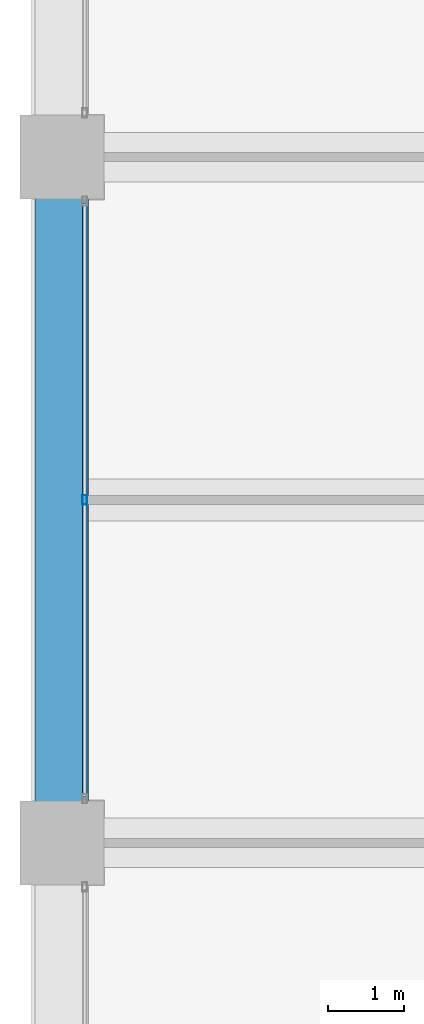
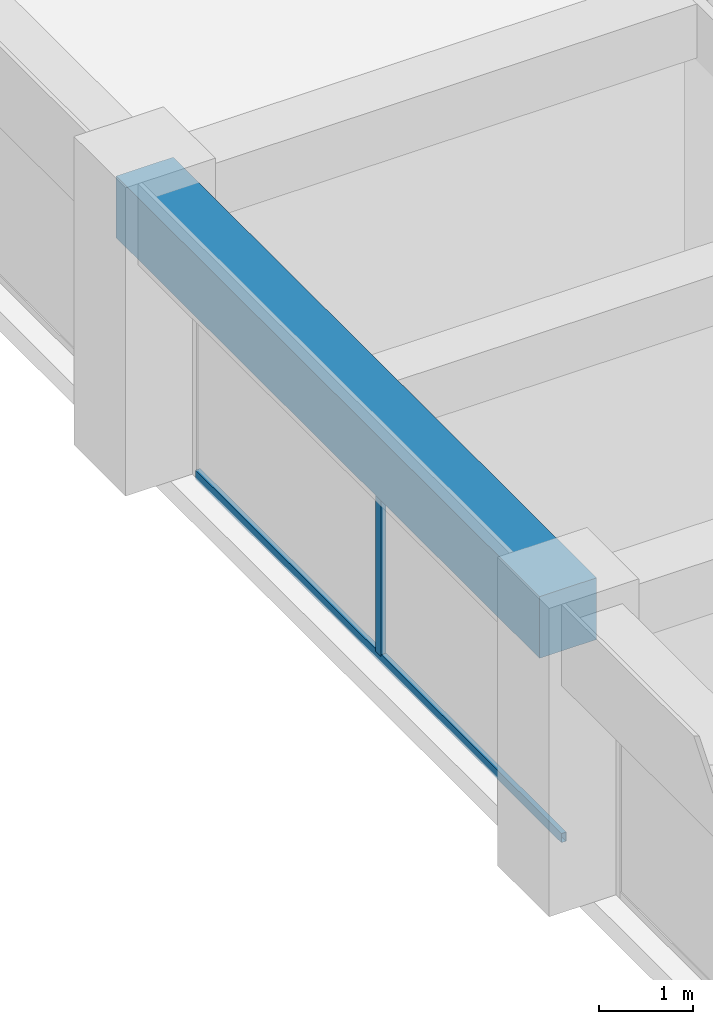
# One storey, part 14 of 45: 2 members, 1 beam, 1 element without a shape of its own.
"""IFC4 building model written with IfcOpenShell, lengths in metres."""

import ifcopenshell
import ifcopenshell.guid

model = None  # the IFC model being written
_history = None  # IfcOwnerHistory: only IFC2X3 demands one
_inside = {}  # id of a spatial element -> (the spatial element, [elements in it])
_under = {}  # id of a project, library or spatial element -> (it, [spatial elements below it])
_declared = {}  # id of a project -> (the project, [libraries it declares])
_typed = {}  # id of a type object -> (the type object, [elements of that type])
_made_of = {}  # id of a material, layer set ... -> (it, [elements and type objects made of it])


def new_model(schema):
    """Start an empty IFC model of exactly this schema.

    Asked for "IFC4X3", IfcOpenShell would pick the latest addendum, in which some entities
    have other attributes; the version numbers below select the first issue.
    IFC2X3 requires an IfcOwnerHistory on every rooted entity: one is made here for all.
    """
    global model, _history
    if schema == "IFC4X3":
        model = ifcopenshell.file(schema_version=(4, 3, 0, 0))
    else:
        model = ifcopenshell.file(schema=schema)
    _inside.clear()
    _under.clear()
    _declared.clear()
    _typed.clear()
    _made_of.clear()
    _history = None
    if model.schema == "IFC2X3":
        org = make("IfcOrganization", Name="unknown")
        user = make(
            "IfcPersonAndOrganization",
            ThePerson=make("IfcPerson", FamilyName="unknown"),
            TheOrganization=org,
        )
        app = make(
            "IfcApplication",
            ApplicationDeveloper=org,
            Version="unknown",
            ApplicationFullName="unknown",
            ApplicationIdentifier="unknown",
        )
        _history = make(
            "IfcOwnerHistory",
            OwningUser=user,
            OwningApplication=app,
            ChangeAction="ADDED",
            CreationDate=0,
        )
    return model


def make(cls, **values):
    """One entity of the class cls with the attributes given. An attribute that is None is left unset."""
    return model.create_entity(
        cls, **{name: value for name, value in values.items() if value is not None}
    )


def rooted(cls, **values):
    """An entity with a GlobalId (a new one), such as an element, a storey or a relation."""
    return make(cls, GlobalId=ifcopenshell.guid.new(), OwnerHistory=_history, **values)


def si_unit(unit_type, name, prefix=None):
    """IfcSIUnit, for example si_unit("LENGTHUNIT", "METRE", prefix="MILLI")."""
    return make("IfcSIUnit", UnitType=unit_type, Prefix=prefix, Name=name)


def assignment(units):
    """IfcUnitAssignment: the units of a project."""
    return None if units is None else make("IfcUnitAssignment", Units=units)


def point(xyz):
    """IfcCartesianPoint."""
    return None if xyz is None else make("IfcCartesianPoint", Coordinates=xyz)


def direction(xyz):
    """IfcDirection."""
    return None if xyz is None else make("IfcDirection", DirectionRatios=xyz)


def frame(location, z_axis=None, x_axis=None):
    """IfcAxis2Placement3D, a coordinate frame: its origin and axes. An axis left out is left unset."""
    return make(
        "IfcAxis2Placement3D",
        Location=point(location),
        Axis=direction(z_axis),
        RefDirection=direction(x_axis),
    )


def frame_2d(location, x_axis=None):
    """IfcAxis2Placement2D, a coordinate frame in the plane: its origin and x axis."""
    return make(
        "IfcAxis2Placement2D", Location=point(location), RefDirection=direction(x_axis)
    )


def origin():
    """The frame at (0, 0, 0) with its axes left unset."""
    return frame((0.0, 0.0, 0.0))


def origin_2d():
    """The frame at (0, 0) in the plane with its x axis left unset."""
    return frame_2d((0.0, 0.0))


def place(relative_to, where):
    """IfcLocalPlacement: puts the frame where relative to a parent placement (None: the world)."""
    return make(
        "IfcLocalPlacement", PlacementRelTo=relative_to, RelativePlacement=where
    )


def context(
    kind, dimensions, precision=None, world=None, true_north=None, identifier=None
):
    """IfcGeometricRepresentationContext, for example the 3D "Model" context."""
    return make(
        "IfcGeometricRepresentationContext",
        ContextIdentifier=identifier,
        ContextType=kind,
        CoordinateSpaceDimension=dimensions,
        Precision=precision,
        WorldCoordinateSystem=world,
        TrueNorth=true_north,
    )


def subcontext(parent, identifier, kind, view, scale=None):
    """IfcGeometricRepresentationSubContext, for example "Body" below "Model"."""
    return make(
        "IfcGeometricRepresentationSubContext",
        ContextIdentifier=identifier,
        ContextType=kind,
        ParentContext=parent,
        TargetScale=scale,
        TargetView=view,
    )


def project(units=None, contexts=None):
    """IfcProject with its units and contexts."""
    return rooted(
        "IfcProject",
        Name="project",
        RepresentationContexts=contexts,
        UnitsInContext=assignment(units),
    )


def spatial(cls, under=None, at=None, **own):
    """A site, building, storey or space (cls), placed at a placement, below another one or the project."""
    s = rooted(cls, ObjectPlacement=at, **own)
    if under is not None:
        _under.setdefault(under.id(), (under, []))[1].append(s)
    return s


def profile(cls, at=None, kind="AREA", **sizes):
    """A parametric profile (cls). Its sizes go by their IFC names, for example OverallWidth=200.0."""
    return make(cls, ProfileType=kind, Position=at, **sizes)


def rectangle(**sizes):
    """IfcRectangleProfileDef."""
    return profile("IfcRectangleProfileDef", **sizes)


def hollow_rectangle(**sizes):
    """IfcRectangleHollowProfileDef."""
    return profile("IfcRectangleHollowProfileDef", **sizes)


def extrude(swept, where, along, depth):
    """IfcExtrudedAreaSolid: the profile swept, set in the frame where, extruded along a direction by depth."""
    return make(
        "IfcExtrudedAreaSolid",
        SweptArea=swept,
        Position=where,
        ExtrudedDirection=direction(along),
        Depth=depth,
    )


def shape(context_of_items, identifier, shape_type, items):
    """IfcShapeRepresentation: the items that make up one representation, for example the "Body"."""
    return make(
        "IfcShapeRepresentation",
        ContextOfItems=context_of_items,
        RepresentationIdentifier=identifier,
        RepresentationType=shape_type,
        Items=items,
    )


def material(Name=None, Category=None):
    """IfcMaterial."""
    return make("IfcMaterial", Name=Name, Category=Category)


def material_profile(
    of_material, cross_section, Name=None, Category=None, Priority=None
):
    """IfcMaterialProfile: a cross section and its material."""
    return make(
        "IfcMaterialProfile",
        Name=Name,
        Material=of_material,
        Profile=cross_section,
        Priority=Priority,
        Category=Category,
    )


def profile_set(profiles, Name=None, composite=None):
    """IfcMaterialProfileSet."""
    return make(
        "IfcMaterialProfileSet",
        Name=Name,
        MaterialProfiles=profiles,
        CompositeProfile=composite,
    )


def made_of(thing, what):
    """Note that an element or type object is made of a material, layer set ...; save() writes the relation."""
    if what is not None:
        _made_of.setdefault(what.id(), (what, []))[1].append(thing)
    return thing


def type_object(cls, material=None, **own):
    """A type object (cls), such as IfcWallType, which elements share."""
    return made_of(rooted(cls, **own), material)


def element(
    cls,
    number,
    at=None,
    inside=None,
    cuts=None,
    type_object=None,
    material=None,
    context=None,
    identifier="Body",
    shape_type=None,
    held_by="IfcProductDefinitionShape",
    body=None,
    shapes=None,
    **own,
):
    """One element of the class cls, such as IfcWall. Its Tag is "e" and its number.

    at: its placement. inside: the storey or other place that contains it. cuts: it is an
    opening in that element (IfcRelVoidsElement). A single representation is given by context,
    identifier, shape_type and body (its items); several are given by shapes. held_by: the class
    of the entity that holds the representations. save() writes the other relations.
    """
    e = rooted(cls, Tag="e%d" % number, ObjectPlacement=at, **own)
    if body is not None:
        shapes = [shape(context, identifier, shape_type, body)]
    if shapes is not None:
        e.Representation = make(held_by, Representations=shapes)
    if inside is not None:
        _inside.setdefault(inside.id(), (inside, []))[1].append(e)
    if cuts is not None:
        rooted(
            "IfcRelVoidsElement", RelatingBuildingElement=cuts, RelatedOpeningElement=e
        )
    if type_object is not None:
        _typed.setdefault(type_object.id(), (type_object, []))[1].append(e)
    return made_of(e, material)


def aggregate(whole, parts):
    """IfcRelAggregates: a whole, such as a stair, and the parts it consists of."""
    return rooted("IfcRelAggregates", RelatingObject=whole, RelatedObjects=parts)


def save(model, path):
    """Write the relations noted so far, then the file.

    IfcRelAggregates (storeys below a building ...), IfcRelContainedInSpatialStructure (elements
    in a storey), IfcRelDefinesByType, IfcRelAssociatesMaterial and IfcRelDeclares: one each for
    every whole, place, type object, material and project.
    """
    for whole, parts in _under.values():
        aggregate(whole, parts)
    for where, things in _inside.values():
        rooted(
            "IfcRelContainedInSpatialStructure",
            RelatedElements=things,
            RelatingStructure=where,
        )
    for kind, things in _typed.values():
        rooted("IfcRelDefinesByType", RelatedObjects=things, RelatingType=kind)
    for what, things in _made_of.values():
        rooted("IfcRelAssociatesMaterial", RelatedObjects=things, RelatingMaterial=what)
    for by, libraries in _declared.values():
        rooted("IfcRelDeclares", RelatingContext=by, RelatedDefinitions=libraries)
    model.write(path)


model = new_model("IFC4")

# Units and contexts
model_context = context("Model", 3, precision=1e-05, world=origin(), true_north=direction((0.0, 1.0)))
body_context = subcontext(model_context, "Body", "Model", "MODEL_VIEW")
ifc_project = project(units=[si_unit("LENGTHUNIT", "METRE"), si_unit("AREAUNIT", "SQUARE_METRE"), si_unit("VOLUMEUNIT", "CUBIC_METRE"), si_unit("PLANEANGLEUNIT", "RADIAN"), si_unit("MASSUNIT", "GRAM", prefix="KILO")], contexts=[model_context])

# Site, building, storey
site_placement = place(None, origin())
site = spatial("IfcSite", under=ifc_project, at=site_placement, CompositionType="ELEMENT")
building_placement = place(site_placement, origin())
building = spatial("IfcBuilding", under=site, at=building_placement, Name="Zorevar Civic Tower", CompositionType="ELEMENT")
storey_placement = place(building_placement, frame((0.0, 0.0, 291.39990234375)))
storey = spatial("IfcBuildingStorey", under=building, at=storey_placement, Name="L71", CompositionType="ELEMENT", Elevation=291.39990234375)

# Curtain wall, members
ifc_material_1 = material(Name="Dark grey solar-control glass in black aluminium frame", Category="aluminium")
curtain_wall_type = type_object("IfcCurtainWallType", Name="Curtain wall CW5 top zone", PredefinedType="NOTDEFINED", material=ifc_material_1)
curtain_wall_placement = place(storey_placement, origin())
curtain_wall = element("IfcCurtainWall", 1, at=curtain_wall_placement, inside=storey, type_object=curtain_wall_type, Name="CW5 L71", PredefinedType="NOTDEFINED")
ifc_material_2 = material(Name="Aluminium, black anodised", Category="aluminium")
ifc_material_profile_1 = material_profile(ifc_material_2, hollow_rectangle(XDim=0.06005859375, YDim=0.1201171875, WallThickness=0.0029296875, at=origin_2d()), Name="AL 120x60x3")
ifc_profile_set_1 = profile_set([ifc_material_profile_1], Name="Aluminium, black anodised")
member_type_1 = type_object("IfcMemberType", Name="CW5 mullion AL 120x60x3", PredefinedType="MULLION", material=ifc_profile_set_1)
member_1_placement = place(storey_placement, frame((9.300048828125, 22.5, 0.06005859375), z_axis=(0.0, 0.0, 1.0), x_axis=(-1.0, 0.0, 0.0)))
member_1 = element("IfcMember", 2, at=member_1_placement, type_object=member_type_1, Name="CW5 mullion 2", PredefinedType="MULLION", context=body_context, shape_type="SweptSolid", body=[
    extrude(hollow_rectangle(XDim=0.06005859375, YDim=0.1201171875, WallThickness=0.0029296875, at=origin_2d()), origin(), (0.0, 0.0, 1.0), 2.89013671875),
])
ifc_material_3 = material(Name="Aluminium, black anodised", Category="aluminium")
ifc_material_profile_2 = material_profile(ifc_material_3, hollow_rectangle(XDim=0.06005859375, YDim=0.1201171875, WallThickness=0.0029296875, at=origin_2d()), Name="AL 120x60x3")
ifc_profile_set_2 = profile_set([ifc_material_profile_2], Name="Aluminium, black anodised")
member_type_2 = type_object("IfcMemberType", Name="CW5 transom AL 120x60x3", PredefinedType="USERDEFINED", material=ifc_profile_set_2)
member_2_placement = place(storey_placement, frame((9.300048828125, 18.610107421875, 0.030029296875), z_axis=(0.0, 1.0, 0.0), x_axis=(-1.0, 0.0, 0.0)))
member_2 = element("IfcMember", 3, at=member_2_placement, type_object=member_type_2, Name="CW5 sill transom", ObjectType="TRANSOM", PredefinedType="USERDEFINED", context=body_context, shape_type="SweptSolid", body=[
    extrude(hollow_rectangle(XDim=0.06005859375, YDim=0.1201171875, WallThickness=0.0029296875, at=origin_2d()), origin(), (0.0, 0.0, 1.0), 7.77978515625),
])
aggregate(curtain_wall, [member_1, member_2])

# Beam
ifc_material_4 = material(Name="Concrete C50/60", Category="concrete")
ifc_material_profile_3 = material_profile(ifc_material_4, rectangle(XDim=0.699951171875, YDim=0.800048828125, at=origin_2d()), Name="RC 700x800")
ifc_profile_set_3 = profile_set([ifc_material_profile_3], Name="Concrete C50/60")
beam_type = type_object("IfcBeamType", Name="Edge beam RC 700x800", PredefinedType="SPANDREL", material=ifc_profile_set_3)
beam_placement = place(storey_placement, frame((9.0, 18.0, 3.35009765625), z_axis=(0.0, 1.0, 0.0), x_axis=(-1.0, 0.0, 0.0)))
element("IfcBeam", 4, at=beam_placement, inside=storey, type_object=beam_type, Name="Edge beam L72", PredefinedType="SPANDREL", context=body_context, shape_type="SweptSolid", body=[
    extrude(rectangle(XDim=0.699951171875, YDim=0.800048828125, at=origin_2d()), origin(), (0.0, 0.0, 1.0), 9.0),
])

save(model, "model.ifc")
